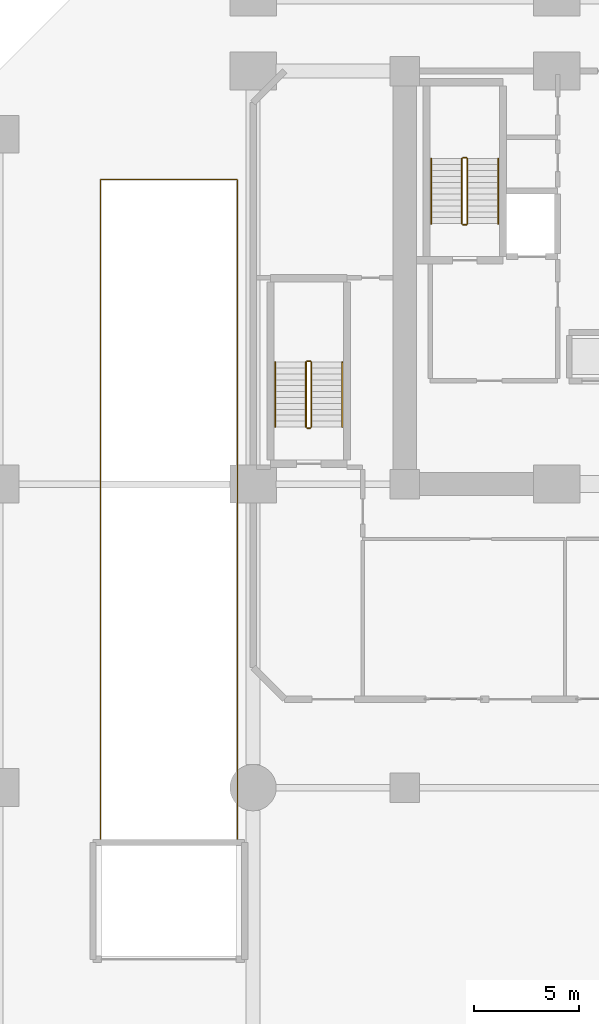
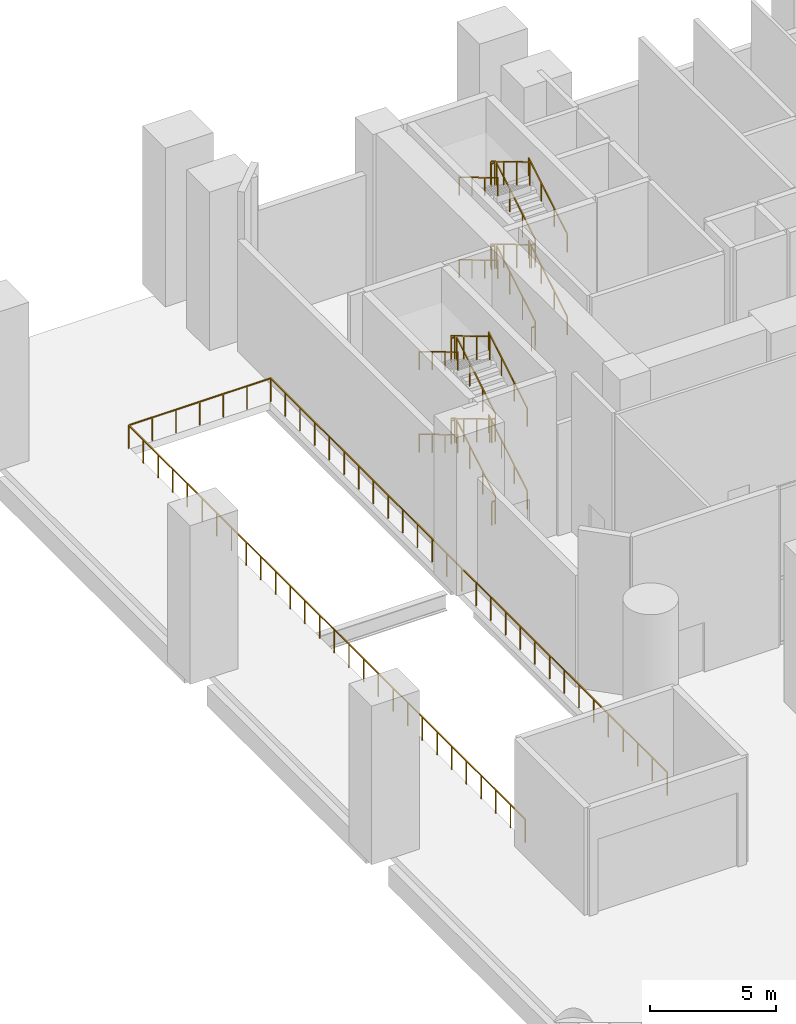
# One storey, part 15 of 17: 25 railings.
"""IFC4 building model written with IfcOpenShell, lengths in metres."""

from ifc_helpers import new_model, si_unit, direction, frame, origin, origin_2d, place, context, subcontext, project, spatial, rectangle, extrude, material, type_object, element, save


model = new_model("IFC4")

# Units and contexts
model_context = context("Model", 3, precision=1e-05, world=origin(), true_north=direction((0.0, 1.0)))
body_context = subcontext(model_context, "Body", "Model", "MODEL_VIEW")
ifc_project = project(units=[si_unit("LENGTHUNIT", "METRE"), si_unit("AREAUNIT", "SQUARE_METRE"), si_unit("VOLUMEUNIT", "CUBIC_METRE"), si_unit("PLANEANGLEUNIT", "RADIAN"), si_unit("MASSUNIT", "GRAM", prefix="KILO")], contexts=[model_context])

# Site, building, storey
site_placement = place(None, origin())
site = spatial("IfcSite", under=ifc_project, at=site_placement, CompositionType="ELEMENT")
building_placement = place(site_placement, origin())
building = spatial("IfcBuilding", under=site, at=building_placement, Name="Kaelvorn Grand Hotel", CompositionType="ELEMENT")
storey_placement = place(building_placement, origin())
storey = spatial("IfcBuildingStorey", under=building, at=storey_placement, Name="L00", CompositionType="ELEMENT", Elevation=0.0)

# Railings
ifc_material = material(Name="Stainless Steel", Category="steel")
railing_type_1 = type_object("IfcRailingType", Name="RL-HANDRAIL-900", PredefinedType="HANDRAIL", material=ifc_material)
railing_1_placement = place(storey_placement, frame((20.6298828125, 41.760009765625, 0.166748046875)))
element("IfcRailing", 1, at=railing_1_placement, inside=storey, type_object=railing_type_1, Name="L00 ST1 stair handrail 1", PredefinedType="HANDRAIL", context=body_context, shape_type="SweptSolid", body=[
    extrude(rectangle(XDim=0.048095703125, YDim=0.048095703125, at=origin_2d()), frame((0.0, 0.0, 0.8759765625), z_axis=(0.0, 0.859308565015, 0.511457515432), x_axis=(-1.0, 0.0, 0.0)), (0.0, 0.0, 1.0), 3.58447265625),
    extrude(rectangle(XDim=0.0419921875, YDim=0.0419921875, at=origin_2d()), origin(), (0.0, 0.0, 1.0), 0.851806640625),
    extrude(rectangle(XDim=0.0419921875, YDim=0.0419921875, at=origin_2d()), frame((0.0, 1.026611328125, 0.611083984375)), (0.0, 0.0, 1.0), 0.851806640625),
    extrude(rectangle(XDim=0.0419921875, YDim=0.0419921875, at=origin_2d()), frame((0.0, 2.053466796875, 1.22216796875)), (0.0, 0.0, 1.0), 0.851806640625),
    extrude(rectangle(XDim=0.0419921875, YDim=0.0419921875, at=origin_2d()), frame((0.0, 3.080078125, 1.833251953125)), (0.0, 0.0, 1.0), 0.851806640625),
])
railing_2_placement = place(storey_placement, frame((17.449951171875, 44.840087890625, 2.166748046875)))
element("IfcRailing", 2, at=railing_2_placement, inside=storey, type_object=railing_type_1, Name="L00 ST1 stair handrail 2", PredefinedType="HANDRAIL", context=body_context, shape_type="SweptSolid", body=[
    extrude(rectangle(XDim=0.048095703125, YDim=0.048095703125, at=origin_2d()), frame((0.0, 0.0, 0.8759765625), z_axis=(0.0, -0.859308565015, 0.511457515432), x_axis=(1.0, 0.0, 0.0)), (0.0, 0.0, 1.0), 3.58447265625),
    extrude(rectangle(XDim=0.0419921875, YDim=0.0419921875, at=origin_2d()), origin(), (0.0, 0.0, 1.0), 0.851806640625),
    extrude(rectangle(XDim=0.0419921875, YDim=0.0419921875, at=origin_2d()), frame((0.0, -1.026611328125, 0.611083984375)), (0.0, 0.0, 1.0), 0.851806640625),
    extrude(rectangle(XDim=0.0419921875, YDim=0.0419921875, at=origin_2d()), frame((0.0, -2.053466796875, 1.22216796875)), (0.0, 0.0, 1.0), 0.851806640625),
    extrude(rectangle(XDim=0.0419921875, YDim=0.0419921875, at=origin_2d()), frame((0.0, -3.080078125, 1.833251953125)), (0.0, 0.0, 1.0), 0.851806640625),
])
railing_3_placement = place(storey_placement, frame((20.6298828125, 41.760009765625, 4.166748046875)))
element("IfcRailing", 3, at=railing_3_placement, inside=storey, type_object=railing_type_1, Name="L00 ST1 stair handrail 3", PredefinedType="HANDRAIL", context=body_context, shape_type="SweptSolid", body=[
    extrude(rectangle(XDim=0.048095703125, YDim=0.048095703125, at=origin_2d()), frame((0.0, 0.0, 0.8759765625), z_axis=(0.0, 0.859308565015, 0.511457515432), x_axis=(-1.0, 0.0, 0.0)), (0.0, 0.0, 1.0), 3.58447265625),
    extrude(rectangle(XDim=0.0419921875, YDim=0.0419921875, at=origin_2d()), origin(), (0.0, 0.0, 1.0), 0.851806640625),
    extrude(rectangle(XDim=0.0419921875, YDim=0.0419921875, at=origin_2d()), frame((0.0, 1.026611328125, 0.611083984375)), (0.0, 0.0, 1.0), 0.851806640625),
    extrude(rectangle(XDim=0.0419921875, YDim=0.0419921875, at=origin_2d()), frame((0.0, 2.053466796875, 1.22216796875)), (0.0, 0.0, 1.0), 0.851806640625),
    extrude(rectangle(XDim=0.0419921875, YDim=0.0419921875, at=origin_2d()), frame((0.0, 3.080078125, 1.833251953125)), (0.0, 0.0, 1.0), 0.851806640625),
])
railing_4_placement = place(storey_placement, frame((17.449951171875, 44.840087890625, 6.166748046875)))
element("IfcRailing", 4, at=railing_4_placement, inside=storey, type_object=railing_type_1, Name="L00 ST1 stair handrail 4", PredefinedType="HANDRAIL", context=body_context, shape_type="SweptSolid", body=[
    extrude(rectangle(XDim=0.048095703125, YDim=0.048095703125, at=origin_2d()), frame((0.0, 0.0, 0.8759765625), z_axis=(0.0, -0.859308565015, 0.511457515432), x_axis=(1.0, 0.0, 0.0)), (0.0, 0.0, 1.0), 3.58447265625),
    extrude(rectangle(XDim=0.0419921875, YDim=0.0419921875, at=origin_2d()), origin(), (0.0, 0.0, 1.0), 0.851806640625),
    extrude(rectangle(XDim=0.0419921875, YDim=0.0419921875, at=origin_2d()), frame((0.0, -1.026611328125, 0.611083984375)), (0.0, 0.0, 1.0), 0.851806640625),
    extrude(rectangle(XDim=0.0419921875, YDim=0.0419921875, at=origin_2d()), frame((0.0, -2.053466796875, 1.22216796875)), (0.0, 0.0, 1.0), 0.851806640625),
    extrude(rectangle(XDim=0.0419921875, YDim=0.0419921875, at=origin_2d()), frame((0.0, -3.080078125, 1.833251953125)), (0.0, 0.0, 1.0), 0.851806640625),
])
railing_5_placement = place(storey_placement, frame((13.22998046875, 32.110107421875, 0.166748046875)))
element("IfcRailing", 5, at=railing_5_placement, inside=storey, type_object=railing_type_1, Name="L00 ST4 stair handrail 1", PredefinedType="HANDRAIL", context=body_context, shape_type="SweptSolid", body=[
    extrude(rectangle(XDim=0.048095703125, YDim=0.048095703125, at=origin_2d()), frame((0.0, 0.0, 0.8759765625), z_axis=(0.0, 0.859290745958, 0.51148745235), x_axis=(-1.0, 0.0, 0.0)), (0.0, 0.0, 1.0), 3.584228515625),
    extrude(rectangle(XDim=0.0419921875, YDim=0.0419921875, at=origin_2d()), origin(), (0.0, 0.0, 1.0), 0.851806640625),
    extrude(rectangle(XDim=0.0419921875, YDim=0.0419921875, at=origin_2d()), frame((0.0, 1.026611328125, 0.611083984375)), (0.0, 0.0, 1.0), 0.851806640625),
    extrude(rectangle(XDim=0.0419921875, YDim=0.0419921875, at=origin_2d()), frame((0.0, 2.05322265625, 1.22216796875)), (0.0, 0.0, 1.0), 0.851806640625),
    extrude(rectangle(XDim=0.0419921875, YDim=0.0419921875, at=origin_2d()), frame((0.0, 3.079833984375, 1.833251953125)), (0.0, 0.0, 1.0), 0.851806640625),
])
railing_6_placement = place(storey_placement, frame((10.050048828125, 35.18994140625, 2.166748046875)))
element("IfcRailing", 6, at=railing_6_placement, inside=storey, type_object=railing_type_1, Name="L00 ST4 stair handrail 2", PredefinedType="HANDRAIL", context=body_context, shape_type="SweptSolid", body=[
    extrude(rectangle(XDim=0.048095703125, YDim=0.048095703125, at=origin_2d()), frame((0.0, 0.0, 0.8759765625), z_axis=(0.0, -0.859290745958, 0.51148745235), x_axis=(1.0, 0.0, 0.0)), (0.0, 0.0, 1.0), 3.584228515625),
    extrude(rectangle(XDim=0.0419921875, YDim=0.0419921875, at=origin_2d()), origin(), (0.0, 0.0, 1.0), 0.851806640625),
    extrude(rectangle(XDim=0.0419921875, YDim=0.0419921875, at=origin_2d()), frame((0.0, -1.026611328125, 0.611083984375)), (0.0, 0.0, 1.0), 0.851806640625),
    extrude(rectangle(XDim=0.0419921875, YDim=0.0419921875, at=origin_2d()), frame((0.0, -2.05322265625, 1.22216796875)), (0.0, 0.0, 1.0), 0.851806640625),
    extrude(rectangle(XDim=0.0419921875, YDim=0.0419921875, at=origin_2d()), frame((0.0, -3.079833984375, 1.833251953125)), (0.0, 0.0, 1.0), 0.851806640625),
])
railing_7_placement = place(storey_placement, frame((13.22998046875, 32.110107421875, 4.166748046875)))
element("IfcRailing", 7, at=railing_7_placement, inside=storey, type_object=railing_type_1, Name="L00 ST4 stair handrail 3", PredefinedType="HANDRAIL", context=body_context, shape_type="SweptSolid", body=[
    extrude(rectangle(XDim=0.048095703125, YDim=0.048095703125, at=origin_2d()), frame((0.0, 0.0, 0.8759765625), z_axis=(0.0, 0.859290745958, 0.51148745235), x_axis=(-1.0, 0.0, 0.0)), (0.0, 0.0, 1.0), 3.584228515625),
    extrude(rectangle(XDim=0.0419921875, YDim=0.0419921875, at=origin_2d()), origin(), (0.0, 0.0, 1.0), 0.851806640625),
    extrude(rectangle(XDim=0.0419921875, YDim=0.0419921875, at=origin_2d()), frame((0.0, 1.026611328125, 0.611083984375)), (0.0, 0.0, 1.0), 0.851806640625),
    extrude(rectangle(XDim=0.0419921875, YDim=0.0419921875, at=origin_2d()), frame((0.0, 2.05322265625, 1.22216796875)), (0.0, 0.0, 1.0), 0.851806640625),
    extrude(rectangle(XDim=0.0419921875, YDim=0.0419921875, at=origin_2d()), frame((0.0, 3.079833984375, 1.833251953125)), (0.0, 0.0, 1.0), 0.851806640625),
])
railing_8_placement = place(storey_placement, frame((10.050048828125, 35.18994140625, 6.166748046875)))
element("IfcRailing", 8, at=railing_8_placement, inside=storey, type_object=railing_type_1, Name="L00 ST4 stair handrail 4", PredefinedType="HANDRAIL", context=body_context, shape_type="SweptSolid", body=[
    extrude(rectangle(XDim=0.048095703125, YDim=0.048095703125, at=origin_2d()), frame((0.0, 0.0, 0.8759765625), z_axis=(0.0, -0.859290745958, 0.51148745235), x_axis=(1.0, 0.0, 0.0)), (0.0, 0.0, 1.0), 3.584228515625),
    extrude(rectangle(XDim=0.0419921875, YDim=0.0419921875, at=origin_2d()), origin(), (0.0, 0.0, 1.0), 0.851806640625),
    extrude(rectangle(XDim=0.0419921875, YDim=0.0419921875, at=origin_2d()), frame((0.0, -1.026611328125, 0.611083984375)), (0.0, 0.0, 1.0), 0.851806640625),
    extrude(rectangle(XDim=0.0419921875, YDim=0.0419921875, at=origin_2d()), frame((0.0, -2.05322265625, 1.22216796875)), (0.0, 0.0, 1.0), 0.851806640625),
    extrude(rectangle(XDim=0.0419921875, YDim=0.0419921875, at=origin_2d()), frame((0.0, -3.079833984375, 1.833251953125)), (0.0, 0.0, 1.0), 0.851806640625),
])
railing_type_2 = type_object("IfcRailingType", Name="RL-STAIR-GUARD-1150", PredefinedType="BALUSTRADE", material=ifc_material)
railing_9_placement = place(storey_placement, frame((19.169921875, 41.760009765625, 0.166748046875)))
element("IfcRailing", 9, at=railing_9_placement, inside=storey, type_object=railing_type_2, Name="L00 ST1 stair guard 1", PredefinedType="BALUSTRADE", context=body_context, shape_type="SweptSolid", body=[
    extrude(rectangle(XDim=0.048095703125, YDim=0.048095703125, at=origin_2d()), frame((0.0, 0.0, 1.1259765625), z_axis=(0.0, 0.859308565015, 0.511457515432), x_axis=(-1.0, 0.0, 0.0)), (0.0, 0.0, 1.0), 3.58447265625),
    extrude(rectangle(XDim=0.0419921875, YDim=0.0419921875, at=origin_2d()), origin(), (0.0, 0.0, 1.0), 1.101806640625),
    extrude(rectangle(XDim=0.0419921875, YDim=0.0419921875, at=origin_2d()), frame((0.0, 1.026611328125, 0.611083984375)), (0.0, 0.0, 1.0), 1.101806640625),
    extrude(rectangle(XDim=0.0419921875, YDim=0.0419921875, at=origin_2d()), frame((0.0, 2.053466796875, 1.22216796875)), (0.0, 0.0, 1.0), 1.101806640625),
    extrude(rectangle(XDim=0.0419921875, YDim=0.0419921875, at=origin_2d()), frame((0.0, 3.080078125, 1.833251953125)), (0.0, 0.0, 1.0), 1.101806640625),
])
railing_10_placement = place(storey_placement, frame((19.1201171875, 44.889892578125, 2.0)))
element("IfcRailing", 10, at=railing_10_placement, inside=storey, type_object=railing_type_2, Name="L00 ST1 stair guard 2", PredefinedType="BALUSTRADE", context=body_context, shape_type="SweptSolid", body=[
    extrude(rectangle(XDim=0.048095703125, YDim=0.048095703125, at=origin_2d()), frame((0.0, 0.0, 1.1259765625), z_axis=(-1.0, 0.0, 0.0), x_axis=(0.0, -1.0, 0.0)), (0.0, 0.0, 1.0), 0.16015625),
    extrude(rectangle(XDim=0.0419921875, YDim=0.0419921875, at=origin_2d()), origin(), (0.0, 0.0, 1.0), 1.101806640625),
    extrude(rectangle(XDim=0.0419921875, YDim=0.0419921875, at=origin_2d()), frame((-0.16015625, 0.0, 0.0)), (0.0, 0.0, 1.0), 1.101806640625),
])
railing_11_placement = place(storey_placement, frame((18.909912109375, 44.840087890625, 2.166748046875)))
element("IfcRailing", 11, at=railing_11_placement, inside=storey, type_object=railing_type_2, Name="L00 ST1 stair guard 3", PredefinedType="BALUSTRADE", context=body_context, shape_type="SweptSolid", body=[
    extrude(rectangle(XDim=0.048095703125, YDim=0.048095703125, at=origin_2d()), frame((0.0, 0.0, 1.1259765625), z_axis=(0.0, -0.859308565015, 0.511457515432), x_axis=(1.0, 0.0, 0.0)), (0.0, 0.0, 1.0), 3.58447265625),
    extrude(rectangle(XDim=0.0419921875, YDim=0.0419921875, at=origin_2d()), origin(), (0.0, 0.0, 1.0), 1.101806640625),
    extrude(rectangle(XDim=0.0419921875, YDim=0.0419921875, at=origin_2d()), frame((0.0, -1.026611328125, 0.611083984375)), (0.0, 0.0, 1.0), 1.101806640625),
    extrude(rectangle(XDim=0.0419921875, YDim=0.0419921875, at=origin_2d()), frame((0.0, -2.053466796875, 1.22216796875)), (0.0, 0.0, 1.0), 1.101806640625),
    extrude(rectangle(XDim=0.0419921875, YDim=0.0419921875, at=origin_2d()), frame((0.0, -3.080078125, 1.833251953125)), (0.0, 0.0, 1.0), 1.101806640625),
])
railing_12_placement = place(storey_placement, frame((19.1201171875, 41.7099609375, 4.0)))
element("IfcRailing", 12, at=railing_12_placement, inside=storey, type_object=railing_type_2, Name="L00 ST1 stair guard 4", PredefinedType="BALUSTRADE", context=body_context, shape_type="SweptSolid", body=[
    extrude(rectangle(XDim=0.048095703125, YDim=0.048095703125, at=origin_2d()), frame((0.0, 0.0, 1.1259765625), z_axis=(-1.0, 0.0, 0.0), x_axis=(0.0, -1.0, 0.0)), (0.0, 0.0, 1.0), 0.16015625),
    extrude(rectangle(XDim=0.0419921875, YDim=0.0419921875, at=origin_2d()), origin(), (0.0, 0.0, 1.0), 1.101806640625),
    extrude(rectangle(XDim=0.0419921875, YDim=0.0419921875, at=origin_2d()), frame((-0.16015625, 0.0, 0.0)), (0.0, 0.0, 1.0), 1.101806640625),
])
railing_13_placement = place(storey_placement, frame((19.169921875, 41.760009765625, 4.166748046875)))
element("IfcRailing", 13, at=railing_13_placement, inside=storey, type_object=railing_type_2, Name="L00 ST1 stair guard 5", PredefinedType="BALUSTRADE", context=body_context, shape_type="SweptSolid", body=[
    extrude(rectangle(XDim=0.048095703125, YDim=0.048095703125, at=origin_2d()), frame((0.0, 0.0, 1.1259765625), z_axis=(0.0, 0.859308565015, 0.511457515432), x_axis=(-1.0, 0.0, 0.0)), (0.0, 0.0, 1.0), 3.58447265625),
    extrude(rectangle(XDim=0.0419921875, YDim=0.0419921875, at=origin_2d()), origin(), (0.0, 0.0, 1.0), 1.101806640625),
    extrude(rectangle(XDim=0.0419921875, YDim=0.0419921875, at=origin_2d()), frame((0.0, 1.026611328125, 0.611083984375)), (0.0, 0.0, 1.0), 1.101806640625),
    extrude(rectangle(XDim=0.0419921875, YDim=0.0419921875, at=origin_2d()), frame((0.0, 2.053466796875, 1.22216796875)), (0.0, 0.0, 1.0), 1.101806640625),
    extrude(rectangle(XDim=0.0419921875, YDim=0.0419921875, at=origin_2d()), frame((0.0, 3.080078125, 1.833251953125)), (0.0, 0.0, 1.0), 1.101806640625),
])
railing_14_placement = place(storey_placement, frame((19.1201171875, 44.889892578125, 6.0)))
element("IfcRailing", 14, at=railing_14_placement, inside=storey, type_object=railing_type_2, Name="L00 ST1 stair guard 6", PredefinedType="BALUSTRADE", context=body_context, shape_type="SweptSolid", body=[
    extrude(rectangle(XDim=0.048095703125, YDim=0.048095703125, at=origin_2d()), frame((0.0, 0.0, 1.1259765625), z_axis=(-1.0, 0.0, 0.0), x_axis=(0.0, -1.0, 0.0)), (0.0, 0.0, 1.0), 0.16015625),
    extrude(rectangle(XDim=0.0419921875, YDim=0.0419921875, at=origin_2d()), origin(), (0.0, 0.0, 1.0), 1.101806640625),
    extrude(rectangle(XDim=0.0419921875, YDim=0.0419921875, at=origin_2d()), frame((-0.16015625, 0.0, 0.0)), (0.0, 0.0, 1.0), 1.101806640625),
])
railing_15_placement = place(storey_placement, frame((18.909912109375, 44.840087890625, 6.166748046875)))
element("IfcRailing", 15, at=railing_15_placement, inside=storey, type_object=railing_type_2, Name="L00 ST1 stair guard 7", PredefinedType="BALUSTRADE", context=body_context, shape_type="SweptSolid", body=[
    extrude(rectangle(XDim=0.048095703125, YDim=0.048095703125, at=origin_2d()), frame((0.0, 0.0, 1.1259765625), z_axis=(0.0, -0.859308565015, 0.511457515432), x_axis=(1.0, 0.0, 0.0)), (0.0, 0.0, 1.0), 3.58447265625),
    extrude(rectangle(XDim=0.0419921875, YDim=0.0419921875, at=origin_2d()), origin(), (0.0, 0.0, 1.0), 1.101806640625),
    extrude(rectangle(XDim=0.0419921875, YDim=0.0419921875, at=origin_2d()), frame((0.0, -1.026611328125, 0.611083984375)), (0.0, 0.0, 1.0), 1.101806640625),
    extrude(rectangle(XDim=0.0419921875, YDim=0.0419921875, at=origin_2d()), frame((0.0, -2.053466796875, 1.22216796875)), (0.0, 0.0, 1.0), 1.101806640625),
    extrude(rectangle(XDim=0.0419921875, YDim=0.0419921875, at=origin_2d()), frame((0.0, -3.080078125, 1.833251953125)), (0.0, 0.0, 1.0), 1.101806640625),
])
railing_16_placement = place(storey_placement, frame((19.1201171875, 41.7099609375, 0.0)))
element("IfcRailing", 16, at=railing_16_placement, inside=storey, type_object=railing_type_2, Name="L00 ST1 stair guard 8", PredefinedType="BALUSTRADE", context=body_context, shape_type="SweptSolid", body=[
    extrude(rectangle(XDim=0.048095703125, YDim=0.048095703125, at=origin_2d()), frame((0.0, 0.0, 1.1259765625), z_axis=(-1.0, 0.0, 0.0), x_axis=(0.0, -1.0, 0.0)), (0.0, 0.0, 1.0), 0.16015625),
    extrude(rectangle(XDim=0.0419921875, YDim=0.0419921875, at=origin_2d()), origin(), (0.0, 0.0, 1.0), 1.101806640625),
    extrude(rectangle(XDim=0.0419921875, YDim=0.0419921875, at=origin_2d()), frame((-0.16015625, 0.0, 0.0)), (0.0, 0.0, 1.0), 1.101806640625),
])
railing_17_placement = place(storey_placement, frame((11.77001953125, 32.110107421875, 0.166748046875)))
element("IfcRailing", 17, at=railing_17_placement, inside=storey, type_object=railing_type_2, Name="L00 ST4 stair guard 1", PredefinedType="BALUSTRADE", context=body_context, shape_type="SweptSolid", body=[
    extrude(rectangle(XDim=0.048095703125, YDim=0.048095703125, at=origin_2d()), frame((0.0, 0.0, 1.1259765625), z_axis=(0.0, 0.859290745958, 0.51148745235), x_axis=(-1.0, 0.0, 0.0)), (0.0, 0.0, 1.0), 3.584228515625),
    extrude(rectangle(XDim=0.0419921875, YDim=0.0419921875, at=origin_2d()), origin(), (0.0, 0.0, 1.0), 1.101806640625),
    extrude(rectangle(XDim=0.0419921875, YDim=0.0419921875, at=origin_2d()), frame((0.0, 1.026611328125, 0.611083984375)), (0.0, 0.0, 1.0), 1.101806640625),
    extrude(rectangle(XDim=0.0419921875, YDim=0.0419921875, at=origin_2d()), frame((0.0, 2.05322265625, 1.22216796875)), (0.0, 0.0, 1.0), 1.101806640625),
    extrude(rectangle(XDim=0.0419921875, YDim=0.0419921875, at=origin_2d()), frame((0.0, 3.079833984375, 1.833251953125)), (0.0, 0.0, 1.0), 1.101806640625),
])
railing_18_placement = place(storey_placement, frame((11.719970703125, 35.239990234375, 2.0)))
element("IfcRailing", 18, at=railing_18_placement, inside=storey, type_object=railing_type_2, Name="L00 ST4 stair guard 2", PredefinedType="BALUSTRADE", context=body_context, shape_type="SweptSolid", body=[
    extrude(rectangle(XDim=0.048095703125, YDim=0.048095703125, at=origin_2d()), frame((0.0, 0.0, 1.1259765625), z_axis=(-1.0, 0.0, 0.0), x_axis=(0.0, -1.0, 0.0)), (0.0, 0.0, 1.0), 0.159912109375),
    extrude(rectangle(XDim=0.0419921875, YDim=0.0419921875, at=origin_2d()), origin(), (0.0, 0.0, 1.0), 1.101806640625),
    extrude(rectangle(XDim=0.0419921875, YDim=0.0419921875, at=origin_2d()), frame((-0.159912109375, 0.0, 0.0)), (0.0, 0.0, 1.0), 1.101806640625),
])
railing_19_placement = place(storey_placement, frame((11.510009765625, 35.18994140625, 2.166748046875)))
element("IfcRailing", 19, at=railing_19_placement, inside=storey, type_object=railing_type_2, Name="L00 ST4 stair guard 3", PredefinedType="BALUSTRADE", context=body_context, shape_type="SweptSolid", body=[
    extrude(rectangle(XDim=0.048095703125, YDim=0.048095703125, at=origin_2d()), frame((0.0, 0.0, 1.1259765625), z_axis=(0.0, -0.859290745958, 0.51148745235), x_axis=(1.0, 0.0, 0.0)), (0.0, 0.0, 1.0), 3.584228515625),
    extrude(rectangle(XDim=0.0419921875, YDim=0.0419921875, at=origin_2d()), origin(), (0.0, 0.0, 1.0), 1.101806640625),
    extrude(rectangle(XDim=0.0419921875, YDim=0.0419921875, at=origin_2d()), frame((0.0, -1.026611328125, 0.611083984375)), (0.0, 0.0, 1.0), 1.101806640625),
    extrude(rectangle(XDim=0.0419921875, YDim=0.0419921875, at=origin_2d()), frame((0.0, -2.05322265625, 1.22216796875)), (0.0, 0.0, 1.0), 1.101806640625),
    extrude(rectangle(XDim=0.0419921875, YDim=0.0419921875, at=origin_2d()), frame((0.0, -3.079833984375, 1.833251953125)), (0.0, 0.0, 1.0), 1.101806640625),
])
railing_20_placement = place(storey_placement, frame((11.719970703125, 32.06005859375, 4.0)))
element("IfcRailing", 20, at=railing_20_placement, inside=storey, type_object=railing_type_2, Name="L00 ST4 stair guard 4", PredefinedType="BALUSTRADE", context=body_context, shape_type="SweptSolid", body=[
    extrude(rectangle(XDim=0.048095703125, YDim=0.048095703125, at=origin_2d()), frame((0.0, 0.0, 1.1259765625), z_axis=(-1.0, 0.0, 0.0), x_axis=(0.0, -1.0, 0.0)), (0.0, 0.0, 1.0), 0.159912109375),
    extrude(rectangle(XDim=0.0419921875, YDim=0.0419921875, at=origin_2d()), origin(), (0.0, 0.0, 1.0), 1.101806640625),
    extrude(rectangle(XDim=0.0419921875, YDim=0.0419921875, at=origin_2d()), frame((-0.159912109375, 0.0, 0.0)), (0.0, 0.0, 1.0), 1.101806640625),
])
railing_21_placement = place(storey_placement, frame((11.77001953125, 32.110107421875, 4.166748046875)))
element("IfcRailing", 21, at=railing_21_placement, inside=storey, type_object=railing_type_2, Name="L00 ST4 stair guard 5", PredefinedType="BALUSTRADE", context=body_context, shape_type="SweptSolid", body=[
    extrude(rectangle(XDim=0.048095703125, YDim=0.048095703125, at=origin_2d()), frame((0.0, 0.0, 1.1259765625), z_axis=(0.0, 0.859290745958, 0.51148745235), x_axis=(-1.0, 0.0, 0.0)), (0.0, 0.0, 1.0), 3.584228515625),
    extrude(rectangle(XDim=0.0419921875, YDim=0.0419921875, at=origin_2d()), origin(), (0.0, 0.0, 1.0), 1.101806640625),
    extrude(rectangle(XDim=0.0419921875, YDim=0.0419921875, at=origin_2d()), frame((0.0, 1.026611328125, 0.611083984375)), (0.0, 0.0, 1.0), 1.101806640625),
    extrude(rectangle(XDim=0.0419921875, YDim=0.0419921875, at=origin_2d()), frame((0.0, 2.05322265625, 1.22216796875)), (0.0, 0.0, 1.0), 1.101806640625),
    extrude(rectangle(XDim=0.0419921875, YDim=0.0419921875, at=origin_2d()), frame((0.0, 3.079833984375, 1.833251953125)), (0.0, 0.0, 1.0), 1.101806640625),
])
railing_22_placement = place(storey_placement, frame((11.719970703125, 35.239990234375, 6.0)))
element("IfcRailing", 22, at=railing_22_placement, inside=storey, type_object=railing_type_2, Name="L00 ST4 stair guard 6", PredefinedType="BALUSTRADE", context=body_context, shape_type="SweptSolid", body=[
    extrude(rectangle(XDim=0.048095703125, YDim=0.048095703125, at=origin_2d()), frame((0.0, 0.0, 1.1259765625), z_axis=(-1.0, 0.0, 0.0), x_axis=(0.0, -1.0, 0.0)), (0.0, 0.0, 1.0), 0.159912109375),
    extrude(rectangle(XDim=0.0419921875, YDim=0.0419921875, at=origin_2d()), origin(), (0.0, 0.0, 1.0), 1.101806640625),
    extrude(rectangle(XDim=0.0419921875, YDim=0.0419921875, at=origin_2d()), frame((-0.159912109375, 0.0, 0.0)), (0.0, 0.0, 1.0), 1.101806640625),
])
railing_23_placement = place(storey_placement, frame((11.510009765625, 35.18994140625, 6.166748046875)))
element("IfcRailing", 23, at=railing_23_placement, inside=storey, type_object=railing_type_2, Name="L00 ST4 stair guard 7", PredefinedType="BALUSTRADE", context=body_context, shape_type="SweptSolid", body=[
    extrude(rectangle(XDim=0.048095703125, YDim=0.048095703125, at=origin_2d()), frame((0.0, 0.0, 1.1259765625), z_axis=(0.0, -0.859290745958, 0.51148745235), x_axis=(1.0, 0.0, 0.0)), (0.0, 0.0, 1.0), 3.584228515625),
    extrude(rectangle(XDim=0.0419921875, YDim=0.0419921875, at=origin_2d()), origin(), (0.0, 0.0, 1.0), 1.101806640625),
    extrude(rectangle(XDim=0.0419921875, YDim=0.0419921875, at=origin_2d()), frame((0.0, -1.026611328125, 0.611083984375)), (0.0, 0.0, 1.0), 1.101806640625),
    extrude(rectangle(XDim=0.0419921875, YDim=0.0419921875, at=origin_2d()), frame((0.0, -2.05322265625, 1.22216796875)), (0.0, 0.0, 1.0), 1.101806640625),
    extrude(rectangle(XDim=0.0419921875, YDim=0.0419921875, at=origin_2d()), frame((0.0, -3.079833984375, 1.833251953125)), (0.0, 0.0, 1.0), 1.101806640625),
])
railing_24_placement = place(storey_placement, frame((11.719970703125, 32.06005859375, 0.0)))
element("IfcRailing", 24, at=railing_24_placement, inside=storey, type_object=railing_type_2, Name="L00 ST4 stair guard 8", PredefinedType="BALUSTRADE", context=body_context, shape_type="SweptSolid", body=[
    extrude(rectangle(XDim=0.048095703125, YDim=0.048095703125, at=origin_2d()), frame((0.0, 0.0, 1.1259765625), z_axis=(-1.0, 0.0, 0.0), x_axis=(0.0, -1.0, 0.0)), (0.0, 0.0, 1.0), 0.159912109375),
    extrude(rectangle(XDim=0.0419921875, YDim=0.0419921875, at=origin_2d()), origin(), (0.0, 0.0, 1.0), 1.101806640625),
    extrude(rectangle(XDim=0.0419921875, YDim=0.0419921875, at=origin_2d()), frame((-0.159912109375, 0.0, 0.0)), (0.0, 0.0, 1.0), 1.101806640625),
])
railing_25_placement = place(storey_placement, frame((1.75, 12.39990234375, 0.0)))
element("IfcRailing", 25, at=railing_25_placement, inside=storey, type_object=railing_type_2, Name="L00 Vehicle Ramp Well Perimeter Guard", PredefinedType="BALUSTRADE", context=body_context, shape_type="SweptSolid", body=[
    extrude(rectangle(XDim=0.048095703125, YDim=0.048095703125, at=origin_2d()), frame((0.0, 0.0, 1.1259765625), z_axis=(0.0, 1.0, 0.0), x_axis=(-1.0, 0.0, 0.0)), (0.0, 0.0, 1.0), 31.4501953125),
    extrude(rectangle(XDim=0.048095703125, YDim=0.048095703125, at=origin_2d()), frame((0.0, 31.4501953125, 1.1259765625), z_axis=(1.0, 0.0, 0.0), x_axis=(0.0, 1.0, 0.0)), (0.0, 0.0, 1.0), 6.5),
    extrude(rectangle(XDim=0.048095703125, YDim=0.048095703125, at=origin_2d()), frame((6.5, 31.4501953125, 1.1259765625), z_axis=(0.0, -1.0, 0.0), x_axis=(1.0, 0.0, 0.0)), (0.0, 0.0, 1.0), 31.4501953125),
    extrude(rectangle(XDim=0.0419921875, YDim=0.0419921875, at=origin_2d()), origin(), (0.0, 0.0, 1.0), 1.101806640625),
    extrude(rectangle(XDim=0.0419921875, YDim=0.0419921875, at=origin_2d()), frame((0.0, 1.164794921875, 0.0)), (0.0, 0.0, 1.0), 1.101806640625),
    extrude(rectangle(XDim=0.0419921875, YDim=0.0419921875, at=origin_2d()), frame((0.0, 2.32958984375, 0.0)), (0.0, 0.0, 1.0), 1.101806640625),
    extrude(rectangle(XDim=0.0419921875, YDim=0.0419921875, at=origin_2d()), frame((0.0, 3.494384765625, 0.0)), (0.0, 0.0, 1.0), 1.101806640625),
    extrude(rectangle(XDim=0.0419921875, YDim=0.0419921875, at=origin_2d()), frame((0.0, 4.6591796875, 0.0)), (0.0, 0.0, 1.0), 1.101806640625),
    extrude(rectangle(XDim=0.0419921875, YDim=0.0419921875, at=origin_2d()), frame((0.0, 5.82421875, 0.0)), (0.0, 0.0, 1.0), 1.101806640625),
    extrude(rectangle(XDim=0.0419921875, YDim=0.0419921875, at=origin_2d()), frame((0.0, 6.989013671875, 0.0)), (0.0, 0.0, 1.0), 1.101806640625),
    extrude(rectangle(XDim=0.0419921875, YDim=0.0419921875, at=origin_2d()), frame((0.0, 8.15380859375, 0.0)), (0.0, 0.0, 1.0), 1.101806640625),
    extrude(rectangle(XDim=0.0419921875, YDim=0.0419921875, at=origin_2d()), frame((0.0, 9.318603515625, 0.0)), (0.0, 0.0, 1.0), 1.101806640625),
    extrude(rectangle(XDim=0.0419921875, YDim=0.0419921875, at=origin_2d()), frame((0.0, 10.4833984375, 0.0)), (0.0, 0.0, 1.0), 1.101806640625),
    extrude(rectangle(XDim=0.0419921875, YDim=0.0419921875, at=origin_2d()), frame((0.0, 11.648193359375, 0.0)), (0.0, 0.0, 1.0), 1.101806640625),
    extrude(rectangle(XDim=0.0419921875, YDim=0.0419921875, at=origin_2d()), frame((0.0, 12.81298828125, 0.0)), (0.0, 0.0, 1.0), 1.101806640625),
    extrude(rectangle(XDim=0.0419921875, YDim=0.0419921875, at=origin_2d()), frame((0.0, 13.977783203125, 0.0)), (0.0, 0.0, 1.0), 1.101806640625),
    extrude(rectangle(XDim=0.0419921875, YDim=0.0419921875, at=origin_2d()), frame((0.0, 15.142578125, 0.0)), (0.0, 0.0, 1.0), 1.101806640625),
    extrude(rectangle(XDim=0.0419921875, YDim=0.0419921875, at=origin_2d()), frame((0.0, 16.3076171875, 0.0)), (0.0, 0.0, 1.0), 1.101806640625),
    extrude(rectangle(XDim=0.0419921875, YDim=0.0419921875, at=origin_2d()), frame((0.0, 17.472412109375, 0.0)), (0.0, 0.0, 1.0), 1.101806640625),
    extrude(rectangle(XDim=0.0419921875, YDim=0.0419921875, at=origin_2d()), frame((0.0, 18.63720703125, 0.0)), (0.0, 0.0, 1.0), 1.101806640625),
    extrude(rectangle(XDim=0.0419921875, YDim=0.0419921875, at=origin_2d()), frame((0.0, 19.802001953125, 0.0)), (0.0, 0.0, 1.0), 1.101806640625),
    extrude(rectangle(XDim=0.0419921875, YDim=0.0419921875, at=origin_2d()), frame((0.0, 20.966796875, 0.0)), (0.0, 0.0, 1.0), 1.101806640625),
    extrude(rectangle(XDim=0.0419921875, YDim=0.0419921875, at=origin_2d()), frame((0.0, 22.131591796875, 0.0)), (0.0, 0.0, 1.0), 1.101806640625),
    extrude(rectangle(XDim=0.0419921875, YDim=0.0419921875, at=origin_2d()), frame((0.0, 23.29638671875, 0.0)), (0.0, 0.0, 1.0), 1.101806640625),
    extrude(rectangle(XDim=0.0419921875, YDim=0.0419921875, at=origin_2d()), frame((0.0, 24.461181640625, 0.0)), (0.0, 0.0, 1.0), 1.101806640625),
    extrude(rectangle(XDim=0.0419921875, YDim=0.0419921875, at=origin_2d()), frame((0.0, 25.6259765625, 0.0)), (0.0, 0.0, 1.0), 1.101806640625),
    extrude(rectangle(XDim=0.0419921875, YDim=0.0419921875, at=origin_2d()), frame((0.0, 26.791015625, 0.0)), (0.0, 0.0, 1.0), 1.101806640625),
    extrude(rectangle(XDim=0.0419921875, YDim=0.0419921875, at=origin_2d()), frame((0.0, 27.955810546875, 0.0)), (0.0, 0.0, 1.0), 1.101806640625),
    extrude(rectangle(XDim=0.0419921875, YDim=0.0419921875, at=origin_2d()), frame((0.0, 29.12060546875, 0.0)), (0.0, 0.0, 1.0), 1.101806640625),
    extrude(rectangle(XDim=0.0419921875, YDim=0.0419921875, at=origin_2d()), frame((0.0, 30.285400390625, 0.0)), (0.0, 0.0, 1.0), 1.101806640625),
    extrude(rectangle(XDim=0.0419921875, YDim=0.0419921875, at=origin_2d()), frame((0.0, 31.4501953125, 0.0)), (0.0, 0.0, 1.0), 1.101806640625),
    extrude(rectangle(XDim=0.0419921875, YDim=0.0419921875, at=origin_2d()), frame((1.083251953125, 31.4501953125, 0.0)), (0.0, 0.0, 1.0), 1.101806640625),
    extrude(rectangle(XDim=0.0419921875, YDim=0.0419921875, at=origin_2d()), frame((2.166748046875, 31.4501953125, 0.0)), (0.0, 0.0, 1.0), 1.101806640625),
    extrude(rectangle(XDim=0.0419921875, YDim=0.0419921875, at=origin_2d()), frame((3.25, 31.4501953125, 0.0)), (0.0, 0.0, 1.0), 1.101806640625),
    extrude(rectangle(XDim=0.0419921875, YDim=0.0419921875, at=origin_2d()), frame((4.333251953125, 31.4501953125, 0.0)), (0.0, 0.0, 1.0), 1.101806640625),
    extrude(rectangle(XDim=0.0419921875, YDim=0.0419921875, at=origin_2d()), frame((5.416748046875, 31.4501953125, 0.0)), (0.0, 0.0, 1.0), 1.101806640625),
    extrude(rectangle(XDim=0.0419921875, YDim=0.0419921875, at=origin_2d()), frame((6.5, 31.4501953125, 0.0)), (0.0, 0.0, 1.0), 1.101806640625),
    extrude(rectangle(XDim=0.0419921875, YDim=0.0419921875, at=origin_2d()), frame((6.5, 30.285400390625, 0.0)), (0.0, 0.0, 1.0), 1.101806640625),
    extrude(rectangle(XDim=0.0419921875, YDim=0.0419921875, at=origin_2d()), frame((6.5, 29.12060546875, 0.0)), (0.0, 0.0, 1.0), 1.101806640625),
    extrude(rectangle(XDim=0.0419921875, YDim=0.0419921875, at=origin_2d()), frame((6.5, 27.955810546875, 0.0)), (0.0, 0.0, 1.0), 1.101806640625),
    extrude(rectangle(XDim=0.0419921875, YDim=0.0419921875, at=origin_2d()), frame((6.5, 26.791015625, 0.0)), (0.0, 0.0, 1.0), 1.101806640625),
    extrude(rectangle(XDim=0.0419921875, YDim=0.0419921875, at=origin_2d()), frame((6.5, 25.6259765625, 0.0)), (0.0, 0.0, 1.0), 1.101806640625),
    extrude(rectangle(XDim=0.0419921875, YDim=0.0419921875, at=origin_2d()), frame((6.5, 24.461181640625, 0.0)), (0.0, 0.0, 1.0), 1.101806640625),
    extrude(rectangle(XDim=0.0419921875, YDim=0.0419921875, at=origin_2d()), frame((6.5, 23.29638671875, 0.0)), (0.0, 0.0, 1.0), 1.101806640625),
    extrude(rectangle(XDim=0.0419921875, YDim=0.0419921875, at=origin_2d()), frame((6.5, 22.131591796875, 0.0)), (0.0, 0.0, 1.0), 1.101806640625),
    extrude(rectangle(XDim=0.0419921875, YDim=0.0419921875, at=origin_2d()), frame((6.5, 20.966796875, 0.0)), (0.0, 0.0, 1.0), 1.101806640625),
    extrude(rectangle(XDim=0.0419921875, YDim=0.0419921875, at=origin_2d()), frame((6.5, 19.802001953125, 0.0)), (0.0, 0.0, 1.0), 1.101806640625),
    extrude(rectangle(XDim=0.0419921875, YDim=0.0419921875, at=origin_2d()), frame((6.5, 18.63720703125, 0.0)), (0.0, 0.0, 1.0), 1.101806640625),
    extrude(rectangle(XDim=0.0419921875, YDim=0.0419921875, at=origin_2d()), frame((6.5, 17.472412109375, 0.0)), (0.0, 0.0, 1.0), 1.101806640625),
    extrude(rectangle(XDim=0.0419921875, YDim=0.0419921875, at=origin_2d()), frame((6.5, 16.3076171875, 0.0)), (0.0, 0.0, 1.0), 1.101806640625),
    extrude(rectangle(XDim=0.0419921875, YDim=0.0419921875, at=origin_2d()), frame((6.5, 15.142578125, 0.0)), (0.0, 0.0, 1.0), 1.101806640625),
    extrude(rectangle(XDim=0.0419921875, YDim=0.0419921875, at=origin_2d()), frame((6.5, 13.977783203125, 0.0)), (0.0, 0.0, 1.0), 1.101806640625),
    extrude(rectangle(XDim=0.0419921875, YDim=0.0419921875, at=origin_2d()), frame((6.5, 12.81298828125, 0.0)), (0.0, 0.0, 1.0), 1.101806640625),
    extrude(rectangle(XDim=0.0419921875, YDim=0.0419921875, at=origin_2d()), frame((6.5, 11.648193359375, 0.0)), (0.0, 0.0, 1.0), 1.101806640625),
    extrude(rectangle(XDim=0.0419921875, YDim=0.0419921875, at=origin_2d()), frame((6.5, 10.4833984375, 0.0)), (0.0, 0.0, 1.0), 1.101806640625),
    extrude(rectangle(XDim=0.0419921875, YDim=0.0419921875, at=origin_2d()), frame((6.5, 9.318603515625, 0.0)), (0.0, 0.0, 1.0), 1.101806640625),
    extrude(rectangle(XDim=0.0419921875, YDim=0.0419921875, at=origin_2d()), frame((6.5, 8.15380859375, 0.0)), (0.0, 0.0, 1.0), 1.101806640625),
    extrude(rectangle(XDim=0.0419921875, YDim=0.0419921875, at=origin_2d()), frame((6.5, 6.989013671875, 0.0)), (0.0, 0.0, 1.0), 1.101806640625),
    extrude(rectangle(XDim=0.0419921875, YDim=0.0419921875, at=origin_2d()), frame((6.5, 5.82421875, 0.0)), (0.0, 0.0, 1.0), 1.101806640625),
    extrude(rectangle(XDim=0.0419921875, YDim=0.0419921875, at=origin_2d()), frame((6.5, 4.6591796875, 0.0)), (0.0, 0.0, 1.0), 1.101806640625),
    extrude(rectangle(XDim=0.0419921875, YDim=0.0419921875, at=origin_2d()), frame((6.5, 3.494384765625, 0.0)), (0.0, 0.0, 1.0), 1.101806640625),
    extrude(rectangle(XDim=0.0419921875, YDim=0.0419921875, at=origin_2d()), frame((6.5, 2.32958984375, 0.0)), (0.0, 0.0, 1.0), 1.101806640625),
    extrude(rectangle(XDim=0.0419921875, YDim=0.0419921875, at=origin_2d()), frame((6.5, 1.164794921875, 0.0)), (0.0, 0.0, 1.0), 1.101806640625),
    extrude(rectangle(XDim=0.0419921875, YDim=0.0419921875, at=origin_2d()), frame((6.5, 0.0, 0.0)), (0.0, 0.0, 1.0), 1.101806640625),
])

save(model, "model.ifc")
